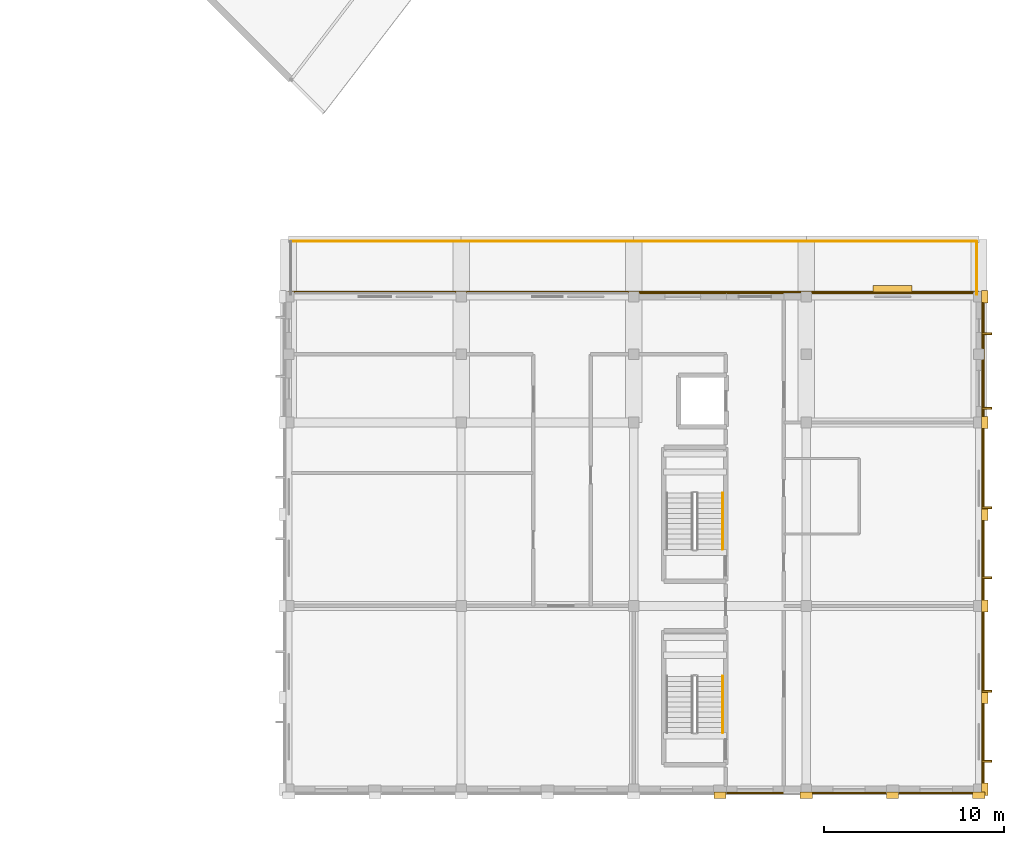
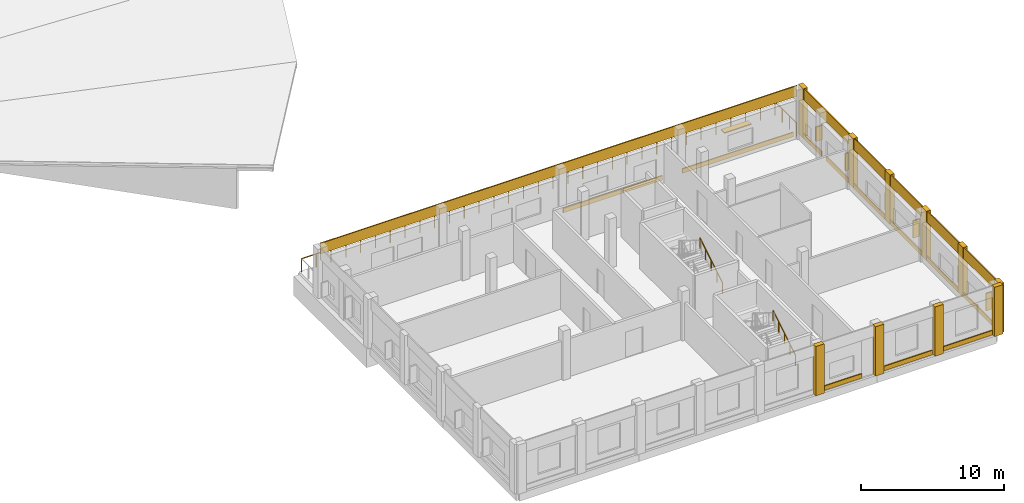
# One storey, part 199 of 200: 22 coverings, 7 shading devices, 4 railings.
"""IFC4 building model written with IfcOpenShell, lengths in metres."""

from ifc_helpers import new_model, si_unit, direction, frame, origin, origin_2d, place, context, subcontext, project, spatial, rectangle, circle, extrude, material, layer, layer_set, type_object, element, save


model = new_model("IFC4")

# Units and contexts
model_context = context("Model", 3, precision=1e-05, world=origin(), true_north=direction((0.0, 1.0)))
body_context = subcontext(model_context, "Body", "Model", "MODEL_VIEW")
ifc_project = project(units=[si_unit("LENGTHUNIT", "METRE"), si_unit("AREAUNIT", "SQUARE_METRE"), si_unit("VOLUMEUNIT", "CUBIC_METRE"), si_unit("PLANEANGLEUNIT", "RADIAN"), si_unit("MASSUNIT", "GRAM", prefix="KILO")], contexts=[model_context])

# Site, building, storey
site_placement = place(None, origin())
site = spatial("IfcSite", under=ifc_project, at=site_placement, CompositionType="ELEMENT")
building_placement = place(site_placement, origin())
building = spatial("IfcBuilding", under=site, at=building_placement, Name="Vondelvale Polytechnic", CompositionType="ELEMENT")
storey_placement = place(building_placement, frame((0.0, 0.0, 13.800048828125)))
storey = spatial("IfcBuildingStorey", under=building, at=storey_placement, Name="L03", CompositionType="ELEMENT", Elevation=13.800048828125)

# Coverings
ifc_material_1 = material(Name="Amsterdam School iron-spot clinker clay brickwork", Category="masonry")
ifc_layer_1 = layer(ifc_material_1, 0.090087890625)
ifc_layer_set_1 = layer_set([ifc_layer_1], Name="COV-BRICK-RELIEF")
covering_type = type_object("IfcCoveringType", Name="COV-BRICK-RELIEF", PredefinedType="CLADDING", material=ifc_layer_set_1)
covering_1_placement = place(storey_placement, frame((173.06494140625, 13.699951171875, 3.239990234375), z_axis=(0.0, 0.0, 1.0), x_axis=(0.0, 1.0, 0.0)))
element("IfcCovering", 1, at=covering_1_placement, inside=storey, type_object=covering_type, Name="L03 exterior masonry spandrel band", PredefinedType="CLADDING", context=body_context, shape_type="SweptSolid", body=[
    extrude(rectangle(XDim=27.39990234375, YDim=0.090087890625, at=origin_2d()), origin(), (0.0, 0.0, 1.0), 0.9599609375),
])
covering_2_placement = place(storey_placement, frame((153.60009765625, 27.6650390625, 3.300048828125), z_axis=(0.0, 0.0, 1.0), x_axis=(1.0, 0.0, 0.0)))
element("IfcCovering", 2, at=covering_2_placement, inside=storey, type_object=covering_type, Name="L03 exterior masonry spandrel band", PredefinedType="CLADDING", context=body_context, shape_type="SweptSolid", body=[
    extrude(rectangle(XDim=38.39990234375, YDim=0.090087890625, at=origin_2d()), origin(), (0.0, 0.0, 1.0), 0.89990234375),
])
covering_3_placement = place(storey_placement, frame((160.3505859375, -0.2109375, 0.0), z_axis=(0.0, 0.0, 1.0), x_axis=(-1.0, 0.0, 0.0)))
element("IfcCovering", 3, at=covering_3_placement, inside=storey, type_object=covering_type, Name="L03 exterior corbelled masonry relief band", PredefinedType="CLADDING", context=body_context, shape_type="SweptSolid", body=[
    extrude(rectangle(XDim=3.138916015625, YDim=0.090087890625, at=origin_2d()), origin(), (0.0, 0.0, 1.0), 0.3798828125),
])
for number, where, z_axis, x_axis, name in (
    (4, (165.574951171875, -0.2109375, 0.0), (0.0, 0.0, 1.0), (-1.0, 0.0, 0.0), "L03 exterior corbelled masonry relief band"),
    (5, (170.425048828125, -0.2109375, 0.0), (0.0, 0.0, 1.0), (-1.0, 0.0, 0.0), "L03 exterior corbelled masonry relief band"),
):
    element("IfcCovering", number, at=place(storey_placement, frame(where, z_axis=z_axis, x_axis=x_axis)), inside=storey, type_object=covering_type, Name=name, PredefinedType="CLADDING", context=body_context, shape_type="SweptSolid", body=[
        extrude(rectangle(XDim=4.087890625, YDim=0.090087890625, at=origin_2d()), origin(), (0.0, 0.0, 1.0), 0.3798828125),
    ])
for number, where, z_axis, x_axis, name in (
    (6, (173.010986328125, 5.10009765625, 0.0), (0.0, 0.0, 1.0), (0.0, -1.0, 0.0), "L03 exterior corbelled masonry relief band"),
    (7, (173.010986328125, 15.300048828125, 0.0), (0.0, 0.0, 1.0), (0.0, -1.0, 0.0), "L03 exterior corbelled masonry relief band"),
):
    element("IfcCovering", number, at=place(storey_placement, frame(where, z_axis=z_axis, x_axis=x_axis)), inside=storey, type_object=covering_type, Name=name, PredefinedType="CLADDING", context=body_context, shape_type="SweptSolid", body=[
        extrude(rectangle(XDim=9.5380859375, YDim=0.090087890625, at=origin_2d()), origin(), (0.0, 0.0, 1.0), 0.3798828125),
    ])
covering_4_placement = place(storey_placement, frame((173.010986328125, 25.800048828125, 0.0), z_axis=(0.0, 0.0, 1.0), x_axis=(0.0, -1.0, 0.0)))
element("IfcCovering", 8, at=covering_4_placement, inside=storey, type_object=covering_type, Name="L03 exterior corbelled masonry relief band", PredefinedType="CLADDING", context=body_context, shape_type="SweptSolid", body=[
    extrude(rectangle(XDim=2.5380859375, YDim=0.090087890625, at=origin_2d()), origin(), (0.0, 0.0, 1.0), 0.3798828125),
])
covering_5_placement = place(storey_placement, frame((173.010986328125, 22.300048828125, 0.0), z_axis=(0.0, 0.0, 1.0), x_axis=(0.0, -1.0, 0.0)))
element("IfcCovering", 9, at=covering_5_placement, inside=storey, type_object=covering_type, Name="L03 exterior corbelled masonry relief band", PredefinedType="CLADDING", context=body_context, shape_type="SweptSolid", body=[
    extrude(rectangle(XDim=3.137939453125, YDim=0.090087890625, at=origin_2d()), origin(), (0.0, 0.0, 1.0), 0.3798828125),
])
covering_6_placement = place(storey_placement, frame((156.325439453125, 27.611083984375, 0.0), z_axis=(0.0, 0.0, 1.0), x_axis=(1.0, 0.0, 0.0)))
element("IfcCovering", 10, at=covering_6_placement, inside=storey, type_object=covering_type, Name="L03 exterior corbelled masonry relief band", PredefinedType="CLADDING", context=body_context, shape_type="SweptSolid", body=[
    extrude(rectangle(XDim=4.7890625, YDim=0.090087890625, at=origin_2d()), origin(), (0.0, 0.0, 1.0), 0.3798828125),
])
covering_7_placement = place(storey_placement, frame((160.35009765625, 27.611083984375, 0.0), z_axis=(0.0, 0.0, 1.0), x_axis=(1.0, 0.0, 0.0)))
element("IfcCovering", 11, at=covering_7_placement, inside=storey, type_object=covering_type, Name="L03 exterior corbelled masonry relief band", PredefinedType="CLADDING", context=body_context, shape_type="SweptSolid", body=[
    extrude(rectangle(XDim=3.139892578125, YDim=0.090087890625, at=origin_2d()), origin(), (0.0, 0.0, 1.0), 0.3798828125),
])
covering_8_placement = place(storey_placement, frame((168.0, 27.611083984375, 0.0), z_axis=(0.0, 0.0, 1.0), x_axis=(1.0, 0.0, 0.0)))
element("IfcCovering", 12, at=covering_8_placement, inside=storey, type_object=covering_type, Name="L03 exterior corbelled masonry relief band", PredefinedType="CLADDING", context=body_context, shape_type="SweptSolid", body=[
    extrude(rectangle(XDim=8.93798828125, YDim=0.090087890625, at=origin_2d()), origin(), (0.0, 0.0, 1.0), 0.3798828125),
])
for number, where, z_axis, x_axis, name in (
    (13, (158.39990234375, -0.340087890625, 0.0), (0.0, 0.0, 1.0), (1.0, 0.0, 0.0), "L03 Lecture wing giant-order pilaster S"),
    (14, (163.199951171875, -0.340087890625, 0.0), (0.0, 0.0, 1.0), (1.0, 0.0, 0.0), "L03 Lecture wing giant-order pilaster S"),
    (15, (168.0, -0.340087890625, 0.0), (0.0, 0.0, 1.0), (1.0, 0.0, 0.0), "L03 Lecture wing giant-order pilaster S"),
    (16, (172.800048828125, -0.340087890625, 0.0), (0.0, 0.0, 1.0), (1.0, 0.0, 0.0), "L03 Lecture wing giant-order pilaster S"),
):
    element("IfcCovering", number, at=place(storey_placement, frame(where, z_axis=z_axis, x_axis=x_axis)), inside=storey, type_object=covering_type, Name=name, PredefinedType="CLADDING", context=body_context, shape_type="SweptSolid", body=[
        extrude(rectangle(XDim=0.679931640625, YDim=0.360107421875, at=origin_2d()), origin(), (0.0, 0.0, 1.0), 4.199951171875),
    ])
for number, where, z_axis, x_axis, name in (
    (17, (173.139892578125, 0.0, 0.0), (0.0, 0.0, 1.0), (1.0, 0.0, 0.0), "L03 Lecture wing giant-order pilaster E"),
    (18, (173.139892578125, 5.10009765625, 0.0), (0.0, 0.0, 1.0), (1.0, 0.0, 0.0), "L03 Lecture wing giant-order pilaster E"),
    (19, (173.139892578125, 10.199951171875, 0.0), (0.0, 0.0, 1.0), (1.0, 0.0, 0.0), "L03 Lecture wing giant-order pilaster E"),
    (20, (173.139892578125, 15.300048828125, 0.0), (0.0, 0.0, 1.0), (1.0, 0.0, 0.0), "L03 Lecture wing giant-order pilaster E"),
    (21, (173.139892578125, 20.39990234375, 0.0), (0.0, 0.0, 1.0), (1.0, 0.0, 0.0), "L03 Lecture wing giant-order pilaster E"),
    (22, (173.139892578125, 27.39990234375, 0.0), (0.0, 0.0, 1.0), (1.0, 0.0, 0.0), "L03 Lecture wing giant-order pilaster E"),
):
    element("IfcCovering", number, at=place(storey_placement, frame(where, z_axis=z_axis, x_axis=x_axis)), inside=storey, type_object=covering_type, Name=name, PredefinedType="CLADDING", context=body_context, shape_type="SweptSolid", body=[
        extrude(rectangle(XDim=0.360107421875, YDim=0.679931640625, at=origin_2d()), origin(), (0.0, 0.0, 1.0), 4.199951171875),
    ])

# Railings
ifc_material_2 = material(Name="Brushed architectural stainless and zinc-coated metal")
ifc_layer_2 = layer(ifc_material_2, 0.048095703125)
ifc_layer_set_2 = layer_set([ifc_layer_2], Name="RL-STAIR-HANDRAIL")
railing_type_1 = type_object("IfcRailingType", Name="RL-STAIR-HANDRAIL", PredefinedType="HANDRAIL", material=ifc_layer_set_2)
for number, where, name in (
    (23, (158.550048828125, 3.14990234375, 0.175048828125), "L03 ST-06 stair handrail 1"),
    (24, (158.550048828125, 13.35009765625, 0.175048828125), "L03 ST-07 stair handrail 1"),
):
    element("IfcRailing", number, at=place(storey_placement, frame(where)), inside=storey, type_object=railing_type_1, Name=name, PredefinedType="HANDRAIL", context=body_context, shape_type="SweptSolid", body=[
        extrude(circle(Radius=0.02392578125, at=origin_2d()), frame((0.0, 0.0, 0.8759765625), z_axis=(0.0, 0.852195625947, 0.523223293744), x_axis=(-1.0, 0.0, 0.0)), (0.0, 0.0, 1.0), 3.6787109375),
        extrude(circle(Radius=0.02099609375, at=origin_2d()), origin(), (0.0, 0.0, 1.0), 0.851806640625),
        extrude(circle(Radius=0.02099609375, at=origin_2d()), frame((0.0, 0.78369140625, 0.481201171875)), (0.0, 0.0, 1.0), 0.851806640625),
        extrude(circle(Radius=0.02099609375, at=origin_2d()), frame((0.0, 1.5673828125, 0.96240234375)), (0.0, 0.0, 1.0), 0.851806640625),
        extrude(circle(Radius=0.02099609375, at=origin_2d()), frame((0.0, 2.351318359375, 1.443603515625)), (0.0, 0.0, 1.0), 0.851806640625),
        extrude(circle(Radius=0.02099609375, at=origin_2d()), frame((0.0, 3.135009765625, 1.9248046875)), (0.0, 0.0, 1.0), 0.851806640625),
    ])
ifc_layer_3 = layer(ifc_material_2, 0.070068359375)
ifc_layer_set_3 = layer_set([ifc_layer_3], Name="RL-TERRACE-1150")
railing_type_2 = type_object("IfcRailingType", Name="RL-TERRACE-1150", PredefinedType="BALUSTRADE", material=ifc_layer_set_3)
railing_1_placement = place(storey_placement, frame((134.52001953125, 30.47998046875, 0.0)))
element("IfcRailing", 25, at=railing_1_placement, inside=storey, type_object=railing_type_2, Name="L03 lecture wing roof garden guardrail", PredefinedType="BALUSTRADE", context=body_context, shape_type="SweptSolid", body=[
    extrude(circle(Radius=0.02392578125, at=origin_2d()), frame((0.0, 0.0, 1.1259765625), z_axis=(1.0, 0.0, 0.0), x_axis=(0.0, 1.0, 0.0)), (0.0, 0.0, 1.0), 38.159912109375),
    extrude(circle(Radius=0.02099609375, at=origin_2d()), origin(), (0.0, 0.0, 1.0), 1.101806640625),
    extrude(circle(Radius=0.02099609375, at=origin_2d()), frame((1.1923828125, 0.0, 0.0)), (0.0, 0.0, 1.0), 1.101806640625),
    extrude(circle(Radius=0.02099609375, at=origin_2d()), frame((2.385009765625, 0.0, 0.0)), (0.0, 0.0, 1.0), 1.101806640625),
    extrude(circle(Radius=0.02099609375, at=origin_2d()), frame((3.577392578125, 0.0, 0.0)), (0.0, 0.0, 1.0), 1.101806640625),
    extrude(circle(Radius=0.02099609375, at=origin_2d()), frame((4.77001953125, 0.0, 0.0)), (0.0, 0.0, 1.0), 1.101806640625),
    extrude(circle(Radius=0.02099609375, at=origin_2d()), frame((5.96240234375, 0.0, 0.0)), (0.0, 0.0, 1.0), 1.101806640625),
    extrude(circle(Radius=0.02099609375, at=origin_2d()), frame((7.155029296875, 0.0, 0.0)), (0.0, 0.0, 1.0), 1.101806640625),
    extrude(circle(Radius=0.02099609375, at=origin_2d()), frame((8.347412109375, 0.0, 0.0)), (0.0, 0.0, 1.0), 1.101806640625),
    extrude(circle(Radius=0.02099609375, at=origin_2d()), frame((9.5400390625, 0.0, 0.0)), (0.0, 0.0, 1.0), 1.101806640625),
    extrude(circle(Radius=0.02099609375, at=origin_2d()), frame((10.732421875, 0.0, 0.0)), (0.0, 0.0, 1.0), 1.101806640625),
    extrude(circle(Radius=0.02099609375, at=origin_2d()), frame((11.925048828125, 0.0, 0.0)), (0.0, 0.0, 1.0), 1.101806640625),
    extrude(circle(Radius=0.02099609375, at=origin_2d()), frame((13.117431640625, 0.0, 0.0)), (0.0, 0.0, 1.0), 1.101806640625),
    extrude(circle(Radius=0.02099609375, at=origin_2d()), frame((14.31005859375, 0.0, 0.0)), (0.0, 0.0, 1.0), 1.101806640625),
    extrude(circle(Radius=0.02099609375, at=origin_2d()), frame((15.50244140625, 0.0, 0.0)), (0.0, 0.0, 1.0), 1.101806640625),
    extrude(circle(Radius=0.02099609375, at=origin_2d()), frame((16.695068359375, 0.0, 0.0)), (0.0, 0.0, 1.0), 1.101806640625),
    extrude(circle(Radius=0.02099609375, at=origin_2d()), frame((17.887451171875, 0.0, 0.0)), (0.0, 0.0, 1.0), 1.101806640625),
    extrude(circle(Radius=0.02099609375, at=origin_2d()), frame((19.080078125, 0.0, 0.0)), (0.0, 0.0, 1.0), 1.101806640625),
    extrude(circle(Radius=0.02099609375, at=origin_2d()), frame((20.2724609375, 0.0, 0.0)), (0.0, 0.0, 1.0), 1.101806640625),
    extrude(circle(Radius=0.02099609375, at=origin_2d()), frame((21.46484375, 0.0, 0.0)), (0.0, 0.0, 1.0), 1.101806640625),
    extrude(circle(Radius=0.02099609375, at=origin_2d()), frame((22.657470703125, 0.0, 0.0)), (0.0, 0.0, 1.0), 1.101806640625),
    extrude(circle(Radius=0.02099609375, at=origin_2d()), frame((23.849853515625, 0.0, 0.0)), (0.0, 0.0, 1.0), 1.101806640625),
    extrude(circle(Radius=0.02099609375, at=origin_2d()), frame((25.04248046875, 0.0, 0.0)), (0.0, 0.0, 1.0), 1.101806640625),
    extrude(circle(Radius=0.02099609375, at=origin_2d()), frame((26.23486328125, 0.0, 0.0)), (0.0, 0.0, 1.0), 1.101806640625),
    extrude(circle(Radius=0.02099609375, at=origin_2d()), frame((27.427490234375, 0.0, 0.0)), (0.0, 0.0, 1.0), 1.101806640625),
    extrude(circle(Radius=0.02099609375, at=origin_2d()), frame((28.619873046875, 0.0, 0.0)), (0.0, 0.0, 1.0), 1.101806640625),
    extrude(circle(Radius=0.02099609375, at=origin_2d()), frame((29.8125, 0.0, 0.0)), (0.0, 0.0, 1.0), 1.101806640625),
    extrude(circle(Radius=0.02099609375, at=origin_2d()), frame((31.0048828125, 0.0, 0.0)), (0.0, 0.0, 1.0), 1.101806640625),
    extrude(circle(Radius=0.02099609375, at=origin_2d()), frame((32.197509765625, 0.0, 0.0)), (0.0, 0.0, 1.0), 1.101806640625),
    extrude(circle(Radius=0.02099609375, at=origin_2d()), frame((33.389892578125, 0.0, 0.0)), (0.0, 0.0, 1.0), 1.101806640625),
    extrude(circle(Radius=0.02099609375, at=origin_2d()), frame((34.58251953125, 0.0, 0.0)), (0.0, 0.0, 1.0), 1.101806640625),
    extrude(circle(Radius=0.02099609375, at=origin_2d()), frame((35.77490234375, 0.0, 0.0)), (0.0, 0.0, 1.0), 1.101806640625),
    extrude(circle(Radius=0.02099609375, at=origin_2d()), frame((36.967529296875, 0.0, 0.0)), (0.0, 0.0, 1.0), 1.101806640625),
    extrude(circle(Radius=0.02099609375, at=origin_2d()), frame((38.159912109375, 0.0, 0.0)), (0.0, 0.0, 1.0), 1.101806640625),
])
railing_2_placement = place(storey_placement, frame((172.679931640625, 30.47998046875, 0.0)))
element("IfcRailing", 26, at=railing_2_placement, inside=storey, type_object=railing_type_2, Name="L03 lecture wing roof garden guardrail", PredefinedType="BALUSTRADE", context=body_context, shape_type="SweptSolid", body=[
    extrude(circle(Radius=0.02392578125, at=origin_2d()), frame((0.0, 0.0, 1.1259765625), z_axis=(0.0, -1.0, 0.0), x_axis=(1.0, 0.0, 0.0)), (0.0, 0.0, 1.0), 2.9599609375),
    extrude(circle(Radius=0.02099609375, at=origin_2d()), origin(), (0.0, 0.0, 1.0), 1.101806640625),
    extrude(circle(Radius=0.02099609375, at=origin_2d()), frame((0.0, -0.986572265625, 0.0)), (0.0, 0.0, 1.0), 1.101806640625),
    extrude(circle(Radius=0.02099609375, at=origin_2d()), frame((0.0, -1.973388671875, 0.0)), (0.0, 0.0, 1.0), 1.101806640625),
    extrude(circle(Radius=0.02099609375, at=origin_2d()), frame((0.0, -2.9599609375, 0.0)), (0.0, 0.0, 1.0), 1.101806640625),
])

# Shading devices
ifc_material_3 = material(Name="Anodised extruded aluminium 6063-T6", Category="aluminium")
shading_device_type_1 = type_object("IfcShadingDeviceType", Name="SHD-BRONZE-LOUVRE", PredefinedType="SHUTTER", material=ifc_material_3)
shading_device_1_placement = place(storey_placement, frame((168.0, 27.794921875, 2.20751953125), z_axis=(0.0, 0.0, 1.0), x_axis=(1.0, 0.0, 0.0)))
element("IfcShadingDevice", 27, at=shading_device_1_placement, inside=storey, type_object=shading_device_type_1, Name="L03 horizontal bronze sun-louvre overhang", PredefinedType="SHUTTER", context=body_context, shape_type="SweptSolid", body=[
    extrude(rectangle(XDim=2.159912109375, YDim=0.47998046875, at=origin_2d()), origin(), (0.0, 0.0, 1.0), 0.0849609375),
])
ifc_material_4 = material(Name="Kiln-fired architectural terracotta", Category="masonry")
shading_device_type_2 = type_object("IfcShadingDeviceType", Name="SHD-TERRA-FIN-550", PredefinedType="JALOUSIE", material=ifc_material_4)
for number, where, z_axis, x_axis, name in (
    (28, (173.22998046875, 1.56103515625, 0.7900390625), (0.0, 0.0, 1.0), (0.0, -1.0, 0.0), "L03 vertical terracotta solar fin"),
    (29, (173.22998046875, 5.4609375, 0.7900390625), (0.0, 0.0, 1.0), (0.0, -1.0, 0.0), "L03 vertical terracotta solar fin"),
    (30, (173.22998046875, 11.760986328125, 0.7900390625), (0.0, 0.0, 1.0), (0.0, -1.0, 0.0), "L03 vertical terracotta solar fin"),
    (31, (173.22998046875, 15.660888671875, 0.7900390625), (0.0, 0.0, 1.0), (0.0, -1.0, 0.0), "L03 vertical terracotta solar fin"),
):
    element("IfcShadingDevice", number, at=place(storey_placement, frame(where, z_axis=z_axis, x_axis=x_axis)), inside=storey, type_object=shading_device_type_2, Name=name, PredefinedType="JALOUSIE", context=body_context, shape_type="SweptSolid", body=[
        extrude(rectangle(XDim=0.110107421875, YDim=0.550048828125, at=origin_2d()), origin(), (0.0, 0.0, 1.0), 1.469970703125),
    ])
shading_device_2_placement = place(storey_placement, frame((173.22998046875, 25.3349609375, 0.7900390625), z_axis=(0.0, 0.0, 1.0), x_axis=(0.0, -1.0, 0.0)))
element("IfcShadingDevice", 32, at=shading_device_2_placement, inside=storey, type_object=shading_device_type_2, Name="L03 vertical terracotta solar fin", PredefinedType="JALOUSIE", context=body_context, shape_type="SweptSolid", body=[
    extrude(rectangle(XDim=0.110107421875, YDim=0.550048828125, at=origin_2d()), origin(), (0.0, 0.0, 1.0), 1.219970703125),
])
shading_device_3_placement = place(storey_placement, frame((173.22998046875, 21.2099609375, 0.7900390625), z_axis=(0.0, 0.0, 1.0), x_axis=(0.0, -1.0, 0.0)))
element("IfcShadingDevice", 33, at=shading_device_3_placement, inside=storey, type_object=shading_device_type_2, Name="L03 vertical terracotta solar fin", PredefinedType="JALOUSIE", context=body_context, shape_type="SweptSolid", body=[
    extrude(rectangle(XDim=0.110107421875, YDim=0.550048828125, at=origin_2d()), origin(), (0.0, 0.0, 1.0), 1.469970703125),
])

save(model, "model.ifc")
